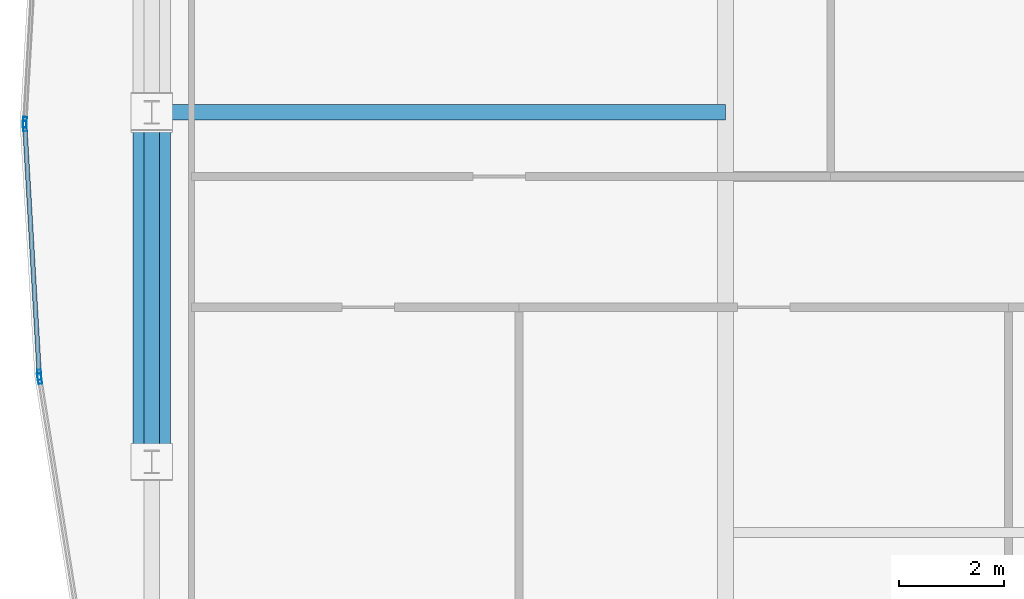
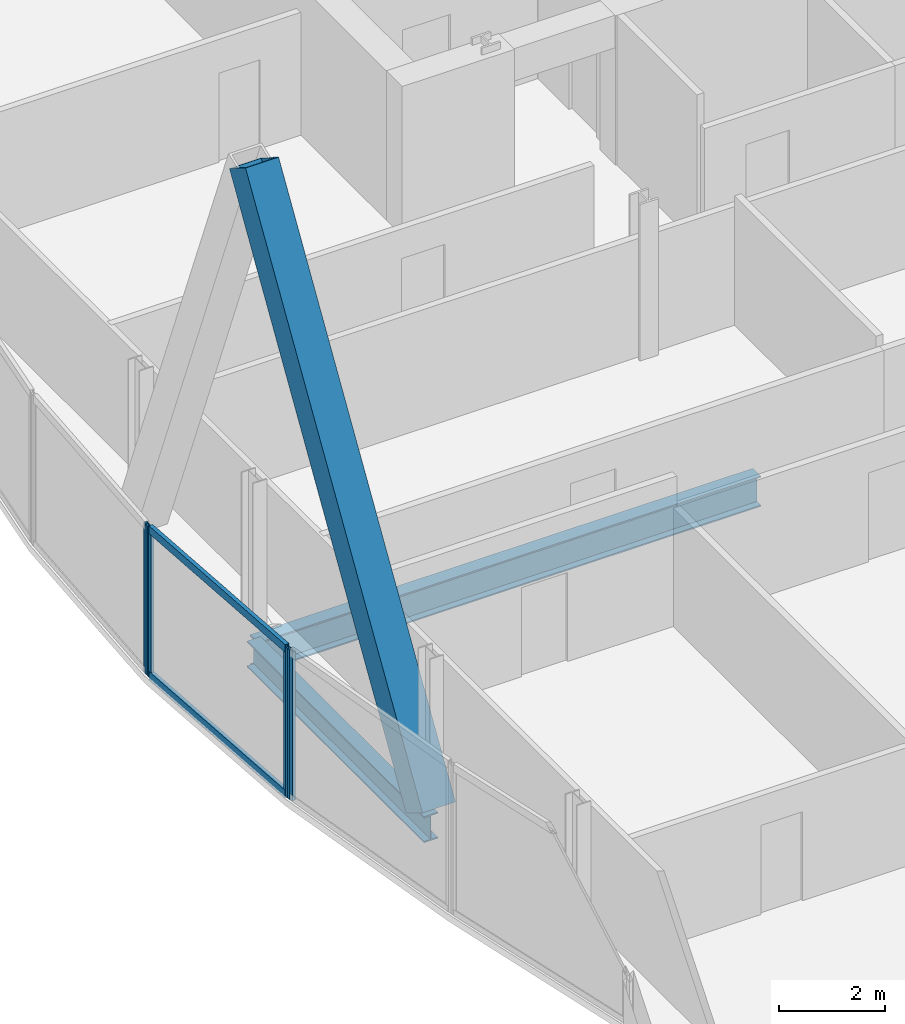
# One storey, part 10 of 33: 7 members, 2 beams, 3 elements without a shape of their own.
"""IFC4 building model written with IfcOpenShell, lengths in metres."""

from ifc_helpers import new_model, si_unit, direction, frame, origin, origin_2d, place, context, subcontext, project, spatial, hollow_rectangle, i_section, extrude, material, material_profile, profile_set, type_object, element, aggregate, save


model = new_model("IFC4")

# Units and contexts
model_context = context("Model", 3, precision=1e-05, world=origin(), true_north=direction((0.0, 1.0)))
body_context = subcontext(model_context, "Body", "Model", "MODEL_VIEW")
ifc_project = project(units=[si_unit("LENGTHUNIT", "METRE"), si_unit("AREAUNIT", "SQUARE_METRE"), si_unit("VOLUMEUNIT", "CUBIC_METRE"), si_unit("PLANEANGLEUNIT", "RADIAN"), si_unit("MASSUNIT", "GRAM", prefix="KILO")], contexts=[model_context])

# Site, building, storey
site_placement = place(None, origin())
site = spatial("IfcSite", under=ifc_project, at=site_placement, CompositionType="ELEMENT")
building_placement = place(site_placement, origin())
building = spatial("IfcBuilding", under=site, at=building_placement, Name="Khoronbel Lancet Exchange", CompositionType="ELEMENT")
storey_placement = place(building_placement, frame((0.0, 0.0, 210.199951171875)))
storey = spatial("IfcBuildingStorey", under=building, at=storey_placement, Name="L53", CompositionType="ELEMENT", Elevation=210.199951171875)

# Beams
ifc_material_1 = material(Name="Steel S355", Category="steel")
ifc_material_profile_1 = material_profile(ifc_material_1, i_section(OverallWidth=0.300048828125, OverallDepth=0.699951171875, WebThickness=0.01708984375, FlangeThickness=0.031982421875, at=origin_2d()), Name="HEB 700")
ifc_profile_set_1 = profile_set([ifc_material_profile_1], Name="Steel S355")
beam_type_1 = type_object("IfcBeamType", Name="BM-BG3", PredefinedType="BEAM", material=ifc_profile_set_1)
beam_1_placement = place(storey_placement, frame((7.27001953125, 31.425048828125, -0.510009765625), z_axis=(1.0, 0.0, 0.0), x_axis=(0.0, 1.0, 0.0)))
element("IfcBeam", 1, at=beam_1_placement, inside=storey, type_object=beam_type_1, Name="Level L53 west lens tie girder LG2W", PredefinedType="BEAM", context=body_context, shape_type="SweptSolid", body=[
    extrude(i_section(OverallWidth=0.300048828125, OverallDepth=0.699951171875, WebThickness=0.01708984375, FlangeThickness=0.031982421875, at=origin_2d()), origin(), (0.0, 0.0, 1.0), 10.955078125),
])
ifc_material_profile_2 = material_profile(ifc_material_1, i_section(OverallWidth=0.300048828125, OverallDepth=0.60009765625, WebThickness=0.015380859375, FlangeThickness=0.030029296875, at=origin_2d()), Name="HEB 600")
ifc_profile_set_2 = profile_set([ifc_material_profile_2], Name="Steel S355")
beam_type_2 = type_object("IfcBeamType", Name="BM-BSP2", PredefinedType="SPANDREL", material=ifc_profile_set_2)
beam_2_placement = place(storey_placement, frame((7.27001953125, 31.425048828125, -0.4599609375), z_axis=(0.0, -1.0, 0.0), x_axis=(1.0, 0.0, 0.0)))
element("IfcBeam", 2, at=beam_2_placement, inside=storey, type_object=beam_type_2, Name="Level L53 perimeter spandrel beam SP19", PredefinedType="SPANDREL", context=body_context, shape_type="SweptSolid", body=[
    extrude(i_section(OverallWidth=0.300048828125, OverallDepth=0.60009765625, WebThickness=0.015380859375, FlangeThickness=0.030029296875, at=origin_2d()), origin(), (0.0, 0.0, 1.0), 6.675048828125),
])

# Curtain wall, member
ifc_material_2 = material(Name="Low-E Solar Control Insulating Glass", Category="glass")
curtain_wall_type = type_object("IfcCurtainWallType", Name="CW-4", PredefinedType="NOTDEFINED", material=ifc_material_2)
curtain_wall_1_placement = place(storey_placement, origin())
curtain_wall_1 = element("IfcCurtainWall", 3, at=curtain_wall_1_placement, inside=storey, type_object=curtain_wall_type, Name="Unitised curtain wall CW-L53-E05", PredefinedType="NOTDEFINED")
ifc_material_3 = material(Name="Bronze-Anodised Aluminium 6063-T6", Category="aluminium")
ifc_material_profile_3 = material_profile(ifc_material_3, hollow_rectangle(XDim=0.074951171875, YDim=0.199951171875, WallThickness=0.0048828125, at=origin_2d()), Name="ALU MULLION 75x200")
ifc_profile_set_3 = profile_set([ifc_material_profile_3], Name="Bronze-Anodised Aluminium 6063-T6")
member_type_1 = type_object("IfcMemberType", Name="MEM-CWM2", PredefinedType="MULLION", material=ifc_profile_set_3)
member_1_placement = place(storey_placement, frame((5.130126953125, 26.33935546875, 0.0), z_axis=(0.0, 0.0, 1.0), x_axis=(-0.987632712105, -0.156785286236, 0.0)))
member_1 = element("IfcMember", 4, at=member_1_placement, type_object=member_type_1, Name="CW4 mullion 2", PredefinedType="MULLION", context=body_context, shape_type="SweptSolid", body=[
    extrude(hollow_rectangle(XDim=0.074951171875, YDim=0.199951171875, WallThickness=0.0048828125, at=origin_2d()), origin(), (0.0, 0.0, 1.0), 3.43994140625),
])
aggregate(curtain_wall_1, [member_1])

# Curtain wall, members
curtain_wall_2_placement = place(storey_placement, origin())
curtain_wall_2 = element("IfcCurtainWall", 5, at=curtain_wall_2_placement, inside=storey, type_object=curtain_wall_type, Name="Unitised curtain wall CW-L53-E06", PredefinedType="NOTDEFINED")
member_2_placement = place(storey_placement, frame((5.1220703125, 26.413818359375, 0.0), z_axis=(0.0, 0.0, 1.0), x_axis=(-0.998317069101, -0.05799163338, 0.0)))
member_2 = element("IfcMember", 6, at=member_2_placement, type_object=member_type_1, Name="CW4 mullion 1", PredefinedType="MULLION", context=body_context, shape_type="SweptSolid", body=[
    extrude(hollow_rectangle(XDim=0.074951171875, YDim=0.199951171875, WallThickness=0.0048828125, at=origin_2d()), origin(), (0.0, 0.0, 1.0), 3.43994140625),
])
member_3_placement = place(storey_placement, frame((4.84619140625, 31.16259765625, 0.0), z_axis=(0.0, 0.0, 1.0), x_axis=(-0.998317069101, -0.05799163338, 0.0)))
member_3 = element("IfcMember", 7, at=member_3_placement, type_object=member_type_1, Name="CW4 mullion 2", PredefinedType="MULLION", context=body_context, shape_type="SweptSolid", body=[
    extrude(hollow_rectangle(XDim=0.074951171875, YDim=0.199951171875, WallThickness=0.0048828125, at=origin_2d()), origin(), (0.0, 0.0, 1.0), 3.43994140625),
])

# Curtain wall, member
curtain_wall_3_placement = place(storey_placement, origin())
curtain_wall_3 = element("IfcCurtainWall", 8, at=curtain_wall_3_placement, inside=storey, type_object=curtain_wall_type, Name="Unitised curtain wall CW-L53-E07", PredefinedType="NOTDEFINED")
member_4_placement = place(storey_placement, frame((4.84619140625, 31.237548828125, 0.0), z_axis=(0.0, 0.0, 1.0), x_axis=(-0.998317069101, 0.05799163338, 0.0)))
member_4 = element("IfcMember", 9, at=member_4_placement, type_object=member_type_1, Name="CW4 mullion 1", PredefinedType="MULLION", context=body_context, shape_type="SweptSolid", body=[
    extrude(hollow_rectangle(XDim=0.074951171875, YDim=0.199951171875, WallThickness=0.0048828125, at=origin_2d()), origin(), (0.0, 0.0, 1.0), 3.43994140625),
])
aggregate(curtain_wall_3, [member_4])

# Member
ifc_material_profile_4 = material_profile(ifc_material_3, hollow_rectangle(XDim=0.0849609375, YDim=0.179931640625, WallThickness=0.0048828125, at=origin_2d()), Name="ALU TRANSOM 85x180")
ifc_profile_set_4 = profile_set([ifc_material_profile_4], Name="Bronze-Anodised Aluminium 6063-T6")
member_type_2 = type_object("IfcMemberType", Name="MEM-CWT1", PredefinedType="USERDEFINED", material=ifc_profile_set_4)
member_5_placement = place(storey_placement, frame((5.119873046875, 26.451171875, 0.04248046875), z_axis=(-0.057985321938, 0.998317435709, 0.0), x_axis=(-0.998317435709, -0.057985321938, 0.0)))
member_5 = element("IfcMember", 10, at=member_5_placement, type_object=member_type_2, Name="CW4 transom 1.1", ObjectType="TRANSOM", PredefinedType="USERDEFINED", context=body_context, shape_type="SweptSolid", body=[
    extrude(hollow_rectangle(XDim=0.0849609375, YDim=0.179931640625, WallThickness=0.0048828125, at=origin_2d()), origin(), (0.0, 0.0, 1.0), 4.681884765625),
])

member_6_placement = place(storey_placement, frame((5.119873046875, 26.451171875, 3.3974609375), z_axis=(-0.057985321938, 0.998317435709, 0.0), x_axis=(-0.998317435709, -0.057985321938, 0.0)))
member_6 = element("IfcMember", 11, at=member_6_placement, type_object=member_type_2, Name="CW4 transom 1.2", ObjectType="TRANSOM", PredefinedType="USERDEFINED", context=body_context, shape_type="SweptSolid", body=[
    extrude(hollow_rectangle(XDim=0.0849609375, YDim=0.179931640625, WallThickness=0.0048828125, at=origin_2d()), origin(), (0.0, 0.0, 1.0), 4.681884765625),
])

aggregate(curtain_wall_2, [member_2, member_3, member_5, member_6])

ifc_material_4 = material(Name="Steel S460", Category="steel")
ifc_material_profile_5 = material_profile(ifc_material_4, hollow_rectangle(XDim=0.719970703125, YDim=0.719970703125, WallThickness=0.050048828125, at=origin_2d()), Name="BOX 720x720x50")
ifc_profile_set_5 = profile_set([ifc_material_profile_5], Name="Steel S460")
member_type_3 = type_object("IfcMemberType", Name="MEM-MB2", PredefinedType="BRACE", material=ifc_profile_set_5)
member_7_placement = place(storey_placement, frame((7.27001953125, 24.75, 0.0), z_axis=(0.0, 0.525745449971, 0.850641946906), x_axis=(-1.0, 0.0, 0.0)))
element("IfcMember", 12, at=member_7_placement, inside=storey, type_object=member_type_3, Name="Perimeter lancet brace tier 18 W-P-L", PredefinedType="BRACE", context=body_context, shape_type="SweptSolid", body=[
    extrude(hollow_rectangle(XDim=0.719970703125, YDim=0.719970703125, WallThickness=0.050048828125, at=origin_2d()), origin(), (0.0, 0.0, 1.0), 12.6962890625),
])

save(model, "model.ifc")
